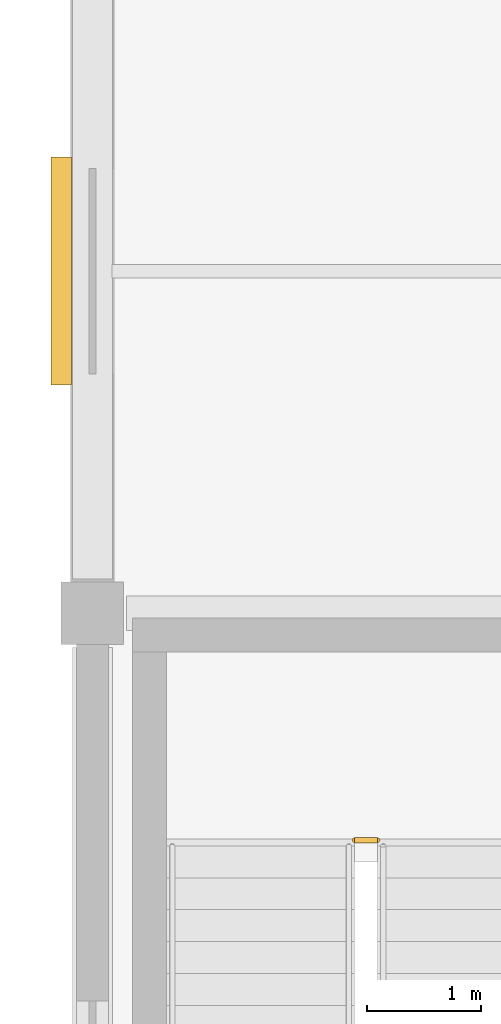
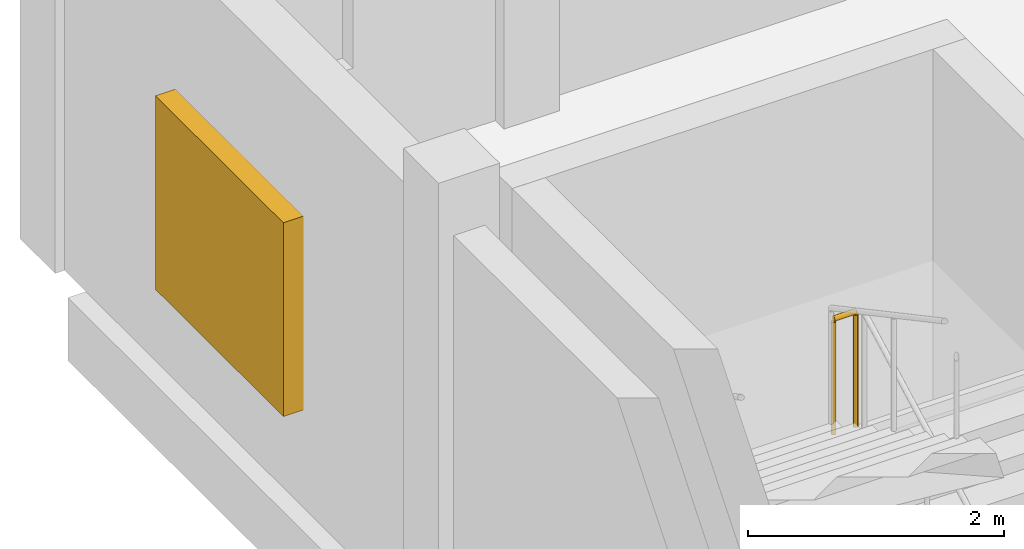
# One storey, part 72 of 77: 1 railing, 1 shading device.
"""IFC4 building model written with IfcOpenShell, lengths in metres."""

from ifc_helpers import new_model, si_unit, direction, frame, origin, origin_2d, place, context, subcontext, project, spatial, rectangle, circle, extrude, material, type_object, element, save


model = new_model("IFC4")

# Units and contexts
model_context = context("Model", 3, precision=1e-05, world=origin(), true_north=direction((0.0, 1.0)))
body_context = subcontext(model_context, "Body", "Model", "MODEL_VIEW")
ifc_project = project(units=[si_unit("LENGTHUNIT", "METRE"), si_unit("AREAUNIT", "SQUARE_METRE"), si_unit("VOLUMEUNIT", "CUBIC_METRE"), si_unit("PLANEANGLEUNIT", "RADIAN"), si_unit("MASSUNIT", "GRAM", prefix="KILO")], contexts=[model_context])

# Site, building, storey
site_placement = place(None, origin())
site = spatial("IfcSite", under=ifc_project, at=site_placement, CompositionType="ELEMENT")
building_placement = place(site_placement, origin())
building = spatial("IfcBuilding", under=site, at=building_placement, Name="Luwemba Playhouse", CompositionType="ELEMENT")
storey_placement = place(building_placement, frame((0.0, 0.0, 9.300048828125)))
storey = spatial("IfcBuildingStorey", under=building, at=storey_placement, Name="L02", CompositionType="ELEMENT", Elevation=9.300048828125)

# Railing
ifc_material_1 = material(Name="Painted wrought-iron gallery balustrade", Category="steel")
railing_type = type_object("IfcRailingType", Name="RLG-BAL-INT", PredefinedType="BALUSTRADE", material=ifc_material_1)
railing_placement = place(storey_placement, frame((6.5, 82.010009765625, 2.25)))
element("IfcRailing", 1, at=railing_placement, inside=storey, type_object=railing_type, Name="L02 ST-03 stair guard 2", PredefinedType="BALUSTRADE", context=body_context, shape_type="SweptSolid", body=[
    extrude(circle(Radius=0.02392578125, at=origin_2d()), frame((0.0, 0.0, 1.09619140625), z_axis=(-1.0, 0.0, 0.0), x_axis=(0.0, -1.0, 0.0)), (0.0, 0.0, 1.0), 0.199951171875),
    extrude(circle(Radius=0.02099609375, at=origin_2d()), origin(), (0.0, 0.0, 1.0), 1.072021484375),
    extrude(circle(Radius=0.02099609375, at=origin_2d()), frame((-0.199951171875, 0.0, 0.0)), (0.0, 0.0, 1.0), 1.072021484375),
])

# Shading device
ifc_material_2 = material(Name="Kiln-fired terracotta gelosia louvre screen", Category="masonry")
shading_device_type = type_object("IfcShadingDeviceType", Name="SHD-GELOSIA", PredefinedType="JALOUSIE", material=ifc_material_2)
shading_device_placement = place(storey_placement, frame((3.72509765625, 87.0, 0.9248046875), z_axis=(0.0, 0.0, 1.0), x_axis=(0.0, 1.0, 0.0)))
element("IfcShadingDevice", 2, at=shading_device_placement, inside=storey, type_object=shading_device_type, Name="L02 fired-clay gelosia screen 046", PredefinedType="JALOUSIE", context=body_context, shape_type="SweptSolid", body=[
    extrude(rectangle(XDim=2.0, YDim=0.179931640625, at=origin_2d()), origin(), (0.0, 0.0, 1.0), 1.85009765625),
])

save(model, "model.ifc")
